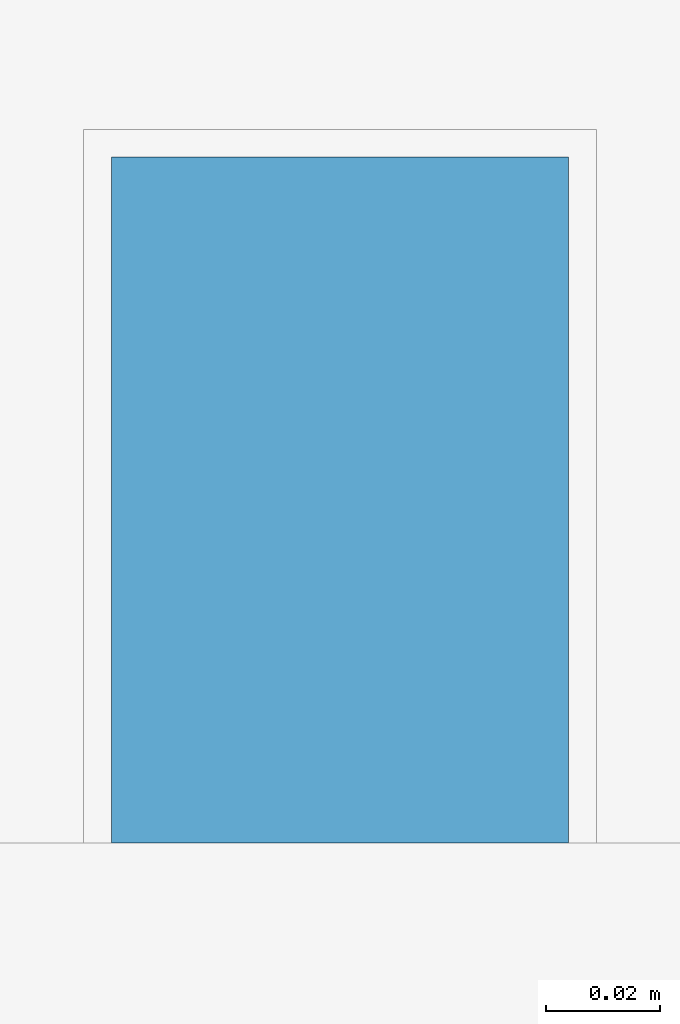
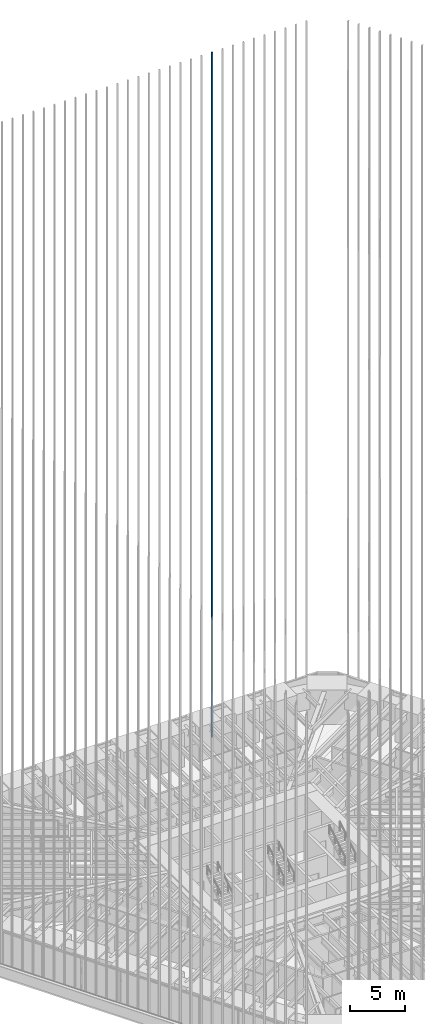
# One storey, part 207 of 238: 1 member, 1 element without a shape of its own.
"""IFC4 building model written with IfcOpenShell, lengths in metres."""

from ifc_helpers import new_model, si_unit, direction, frame, origin, origin_2d, place, context, subcontext, project, spatial, rectangle, extrude, material, material_profile, profile_set, type_object, element, aggregate, save


model = new_model("IFC4")

# Units and contexts
model_context = context("Model", 3, precision=1e-05, world=origin(), true_north=direction((0.0, 1.0)))
body_context = subcontext(model_context, "Body", "Model", "MODEL_VIEW")
ifc_project = project(units=[si_unit("LENGTHUNIT", "METRE"), si_unit("AREAUNIT", "SQUARE_METRE"), si_unit("VOLUMEUNIT", "CUBIC_METRE"), si_unit("PLANEANGLEUNIT", "RADIAN"), si_unit("MASSUNIT", "GRAM", prefix="KILO")], contexts=[model_context])

# Site, building, storey
site_placement = place(None, origin())
site = spatial("IfcSite", under=ifc_project, at=site_placement, CompositionType="ELEMENT")
building_placement = place(site_placement, origin())
building = spatial("IfcBuilding", under=site, at=building_placement, Name="Sandreach Pilgrim Tower", CompositionType="ELEMENT")
storey_placement = place(building_placement, frame((0.0, 0.0, 96.800048828125)))
storey = spatial("IfcBuildingStorey", under=building, at=storey_placement, Name="L23", CompositionType="ELEMENT", Elevation=96.800048828125)

# Curtain wall, member
ifc_material_1 = material(Name="Aluminium framed curtain wall", Category="aluminium")
curtain_wall_type = type_object("IfcCurtainWallType", Name="Hotel tower curtain wall", PredefinedType="NOTDEFINED", material=ifc_material_1)
curtain_wall_placement = place(storey_placement, origin())
curtain_wall = element("IfcCurtainWall", 1, at=curtain_wall_placement, inside=storey, type_object=curtain_wall_type, Name="CW-2 L23 N", PredefinedType="NOTDEFINED")
ifc_material_2 = material(Name="Extruded terracotta on aluminium core", Category="masonry")
ifc_material_profile = material_profile(ifc_material_2, rectangle(XDim=0.080078125, YDim=0.1201171875, at=origin_2d()), Name="TBN 80X120")
ifc_profile_set = profile_set([ifc_material_profile], Name="Extruded terracotta on aluminium core")
member_type = type_object("IfcMemberType", Name="Terracotta baguette north", PredefinedType="USERDEFINED", material=ifc_profile_set)
member_placement = place(storey_placement, frame((7.695556640625, 22.853759765625, 0.0), z_axis=(0.0, 0.0, 1.0), x_axis=(1.0, 0.0, 0.0)))
member = element("IfcMember", 2, at=member_placement, type_object=member_type, Name="Baguette Z2 N24", ObjectType="BAGUETTE", PredefinedType="USERDEFINED", context=body_context, shape_type="SweptSolid", body=[
    extrude(rectangle(XDim=0.080078125, YDim=0.1201171875, at=origin_2d()), origin(), (0.0, 0.0, 1.0), 75.83984375),
])
aggregate(curtain_wall, [member])

save(model, "model.ifc")
